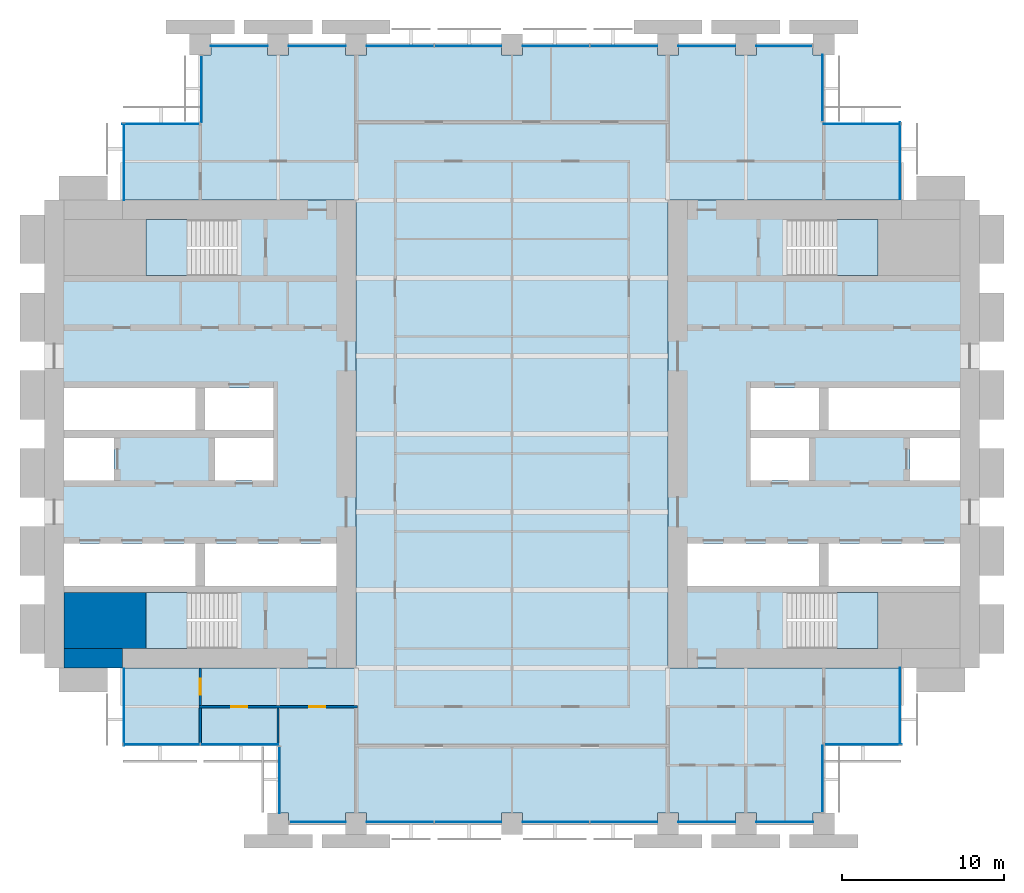
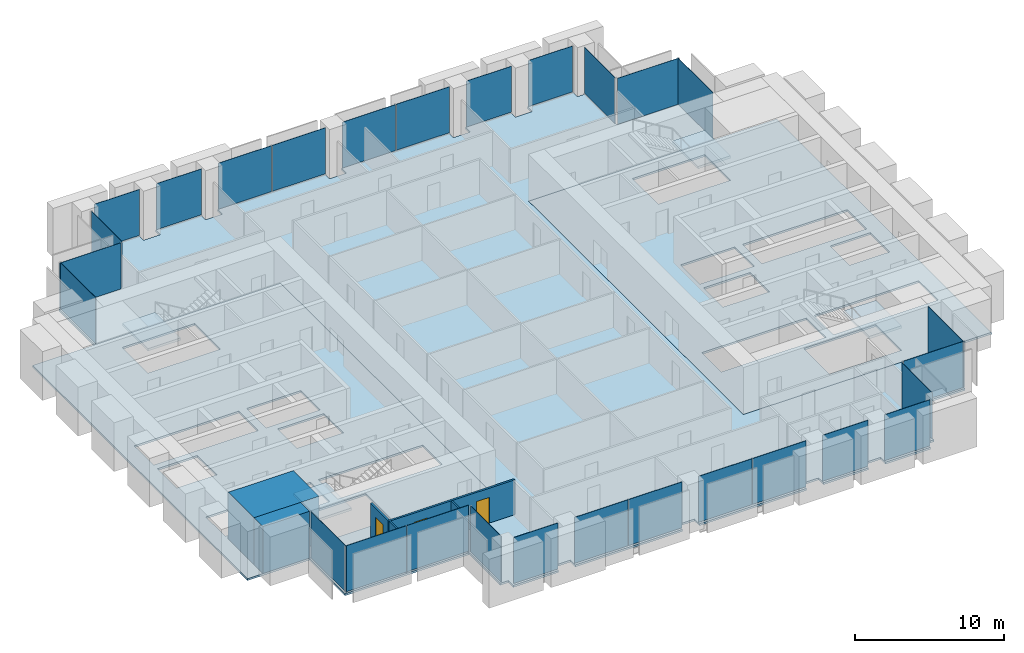
# One storey, part 8 of 14: 28 plates, 7 slabs, 6 walls, 3 doors, 3 openings, 18 elements without a shape of their own.
"""IFC4 building model written with IfcOpenShell, lengths in metres."""

from ifc_helpers import new_model, si_unit, direction, frame, frame_2d, origin, origin_2d, place, context, subcontext, project, spatial, polyline, rectangle, outline, extrude, material, layer, layer_set, type_object, element, fill, aggregate, save


model = new_model("IFC4")

# Units and contexts
model_context = context("Model", 3, precision=1e-05, world=origin(), true_north=direction((0.0, 1.0)))
body_context = subcontext(model_context, "Body", "Model", "MODEL_VIEW")
ifc_project = project(units=[si_unit("LENGTHUNIT", "METRE"), si_unit("AREAUNIT", "SQUARE_METRE"), si_unit("VOLUMEUNIT", "CUBIC_METRE"), si_unit("PLANEANGLEUNIT", "RADIAN"), si_unit("MASSUNIT", "GRAM", prefix="KILO")], contexts=[model_context])

# Site, building, storey
site_placement = place(None, origin())
site = spatial("IfcSite", under=ifc_project, at=site_placement, CompositionType="ELEMENT")
building_placement = place(site_placement, origin())
building = spatial("IfcBuilding", under=site, at=building_placement, Name="Baori Bourse Tower", CompositionType="ELEMENT")
storey_placement = place(building_placement, frame((0.0, 0.0, 55.0)))
storey = spatial("IfcBuildingStorey", under=building, at=storey_placement, Name="L11", CompositionType="ELEMENT", Elevation=55.0)

# Curtain wall, plates
ifc_material_1 = material(Name="Pale anodised aluminium", Category="aluminium")
curtain_wall_type_1 = type_object("IfcCurtainWallType", Name="CW1 Curtain wall", PredefinedType="NOTDEFINED", material=ifc_material_1)
curtain_wall_1_placement = place(storey_placement, origin())
curtain_wall_1 = element("IfcCurtainWall", 1, at=curtain_wall_1_placement, inside=storey, type_object=curtain_wall_type_1, Name="Curtain wall CW1 L11 4", PredefinedType="NOTDEFINED")
ifc_material_2 = material(Name="Clear glass", Category="glass")
ifc_layer_1 = layer(ifc_material_2, 0.033935546875)
ifc_layer_set_1 = layer_set([ifc_layer_1], Name="CW1 Curtain wall panel")
plate_type_1 = type_object("IfcPlateType", Name="CW1 Curtain wall panel", PredefinedType="CURTAIN_PANEL", material=ifc_layer_set_1)
plate_1_placement = place(storey_placement, frame((45.570068359375, 47.89990234375, 0.080078125), z_axis=(0.0, 0.0, 1.0), x_axis=(-1.0, 0.0, 0.0)))
plate_1 = element("IfcPlate", 2, at=plate_1_placement, type_object=plate_type_1, Name="Curtain wall CW1 panel", PredefinedType="CURTAIN_PANEL", context=body_context, shape_type="SweptSolid", body=[
    extrude(rectangle(XDim=3.43994140625, YDim=0.033935546875, at=origin_2d()), origin(), (0.0, 0.0, 1.0), 3.760009765625),
])
plate_2_placement = place(storey_placement, frame((40.800048828125, 47.89990234375, 0.080078125), z_axis=(0.0, 0.0, 1.0), x_axis=(-1.0, 0.0, 0.0)))
plate_2 = element("IfcPlate", 3, at=plate_2_placement, type_object=plate_type_1, Name="Curtain wall CW1 panel", PredefinedType="CURTAIN_PANEL", context=body_context, shape_type="SweptSolid", body=[
    extrude(rectangle(XDim=3.5, YDim=0.033935546875, at=origin_2d()), origin(), (0.0, 0.0, 1.0), 3.760009765625),
])
plate_3_placement = place(storey_placement, frame((35.68994140625, 47.89990234375, 0.080078125), z_axis=(0.0, 0.0, 1.0), x_axis=(-1.0, 0.0, 0.0)))
plate_3 = element("IfcPlate", 4, at=plate_3_placement, type_object=plate_type_1, Name="Curtain wall CW1 panel", PredefinedType="CURTAIN_PANEL", context=body_context, shape_type="SweptSolid", body=[
    extrude(rectangle(XDim=4.1201171875, YDim=0.033935546875, at=origin_2d()), origin(), (0.0, 0.0, 1.0), 3.760009765625),
])
plate_4_placement = place(storey_placement, frame((31.510009765625, 47.89990234375, 0.080078125), z_axis=(0.0, 0.0, 1.0), x_axis=(-1.0, 0.0, 0.0)))
plate_4 = element("IfcPlate", 5, at=plate_4_placement, type_object=plate_type_1, Name="Curtain wall CW1 panel", PredefinedType="CURTAIN_PANEL", context=body_context, shape_type="SweptSolid", body=[
    extrude(rectangle(XDim=4.1201171875, YDim=0.033935546875, at=origin_2d()), origin(), (0.0, 0.0, 1.0), 3.760009765625),
])
plate_5_placement = place(storey_placement, frame((26.090087890625, 47.89990234375, 0.080078125), z_axis=(0.0, 0.0, 1.0), x_axis=(-1.0, 0.0, 0.0)))
plate_5 = element("IfcPlate", 6, at=plate_5_placement, type_object=plate_type_1, Name="Curtain wall CW1 panel", PredefinedType="CURTAIN_PANEL", context=body_context, shape_type="SweptSolid", body=[
    extrude(rectangle(XDim=4.1201171875, YDim=0.033935546875, at=origin_2d()), origin(), (0.0, 0.0, 1.0), 3.760009765625),
])
plate_6_placement = place(storey_placement, frame((21.909912109375, 47.89990234375, 0.080078125), z_axis=(0.0, 0.0, 1.0), x_axis=(-1.0, 0.0, 0.0)))
plate_6 = element("IfcPlate", 7, at=plate_6_placement, type_object=plate_type_1, Name="Curtain wall CW1 panel", PredefinedType="CURTAIN_PANEL", context=body_context, shape_type="SweptSolid", body=[
    extrude(rectangle(XDim=4.1201171875, YDim=0.033935546875, at=origin_2d()), origin(), (0.0, 0.0, 1.0), 3.760009765625),
])
plate_7_placement = place(storey_placement, frame((16.800048828125, 47.89990234375, 0.080078125), z_axis=(0.0, 0.0, 1.0), x_axis=(-1.0, 0.0, 0.0)))
plate_7 = element("IfcPlate", 8, at=plate_7_placement, type_object=plate_type_1, Name="Curtain wall CW1 panel", PredefinedType="CURTAIN_PANEL", context=body_context, shape_type="SweptSolid", body=[
    extrude(rectangle(XDim=3.5, YDim=0.033935546875, at=origin_2d()), origin(), (0.0, 0.0, 1.0), 3.760009765625),
])
plate_8_placement = place(storey_placement, frame((12.0, 47.89990234375, 0.080078125), z_axis=(0.0, 0.0, 1.0), x_axis=(-1.0, 0.0, 0.0)))
plate_8 = element("IfcPlate", 9, at=plate_8_placement, type_object=plate_type_1, Name="Curtain wall CW1 panel", PredefinedType="CURTAIN_PANEL", context=body_context, shape_type="SweptSolid", body=[
    extrude(rectangle(XDim=3.5, YDim=0.033935546875, at=origin_2d()), origin(), (0.0, 0.0, 1.0), 3.760009765625),
])
aggregate(curtain_wall_1, [plate_1, plate_2, plate_3, plate_4, plate_5, plate_6, plate_7, plate_8])

curtain_wall_2_placement = place(storey_placement, origin())
curtain_wall_2 = element("IfcCurtainWall", 10, at=curtain_wall_2_placement, inside=storey, type_object=curtain_wall_type_1, Name="Curtain wall CW1 L11 11", PredefinedType="NOTDEFINED")
plate_9_placement = place(storey_placement, frame((16.830078125, 0.10009765625, 0.080078125), z_axis=(0.0, 0.0, 1.0), x_axis=(1.0, 0.0, 0.0)))
plate_9 = element("IfcPlate", 11, at=plate_9_placement, type_object=plate_type_1, Name="Curtain wall CW1 panel", PredefinedType="CURTAIN_PANEL", context=body_context, shape_type="SweptSolid", body=[
    extrude(rectangle(XDim=3.43994140625, YDim=0.033935546875, at=origin_2d()), origin(), (0.0, 0.0, 1.0), 3.760009765625),
])
plate_10_placement = place(storey_placement, frame((21.909912109375, 0.10009765625, 0.080078125), z_axis=(0.0, 0.0, 1.0), x_axis=(1.0, 0.0, 0.0)))
plate_10 = element("IfcPlate", 12, at=plate_10_placement, type_object=plate_type_1, Name="Curtain wall CW1 panel", PredefinedType="CURTAIN_PANEL", context=body_context, shape_type="SweptSolid", body=[
    extrude(rectangle(XDim=4.1201171875, YDim=0.033935546875, at=origin_2d()), origin(), (0.0, 0.0, 1.0), 3.760009765625),
])
plate_11_placement = place(storey_placement, frame((26.090087890625, 0.10009765625, 0.080078125), z_axis=(0.0, 0.0, 1.0), x_axis=(1.0, 0.0, 0.0)))
plate_11 = element("IfcPlate", 13, at=plate_11_placement, type_object=plate_type_1, Name="Curtain wall CW1 panel", PredefinedType="CURTAIN_PANEL", context=body_context, shape_type="SweptSolid", body=[
    extrude(rectangle(XDim=4.1201171875, YDim=0.033935546875, at=origin_2d()), origin(), (0.0, 0.0, 1.0), 3.760009765625),
])
plate_12_placement = place(storey_placement, frame((31.510009765625, 0.10009765625, 0.080078125), z_axis=(0.0, 0.0, 1.0), x_axis=(1.0, 0.0, 0.0)))
plate_12 = element("IfcPlate", 14, at=plate_12_placement, type_object=plate_type_1, Name="Curtain wall CW1 panel", PredefinedType="CURTAIN_PANEL", context=body_context, shape_type="SweptSolid", body=[
    extrude(rectangle(XDim=4.1201171875, YDim=0.033935546875, at=origin_2d()), origin(), (0.0, 0.0, 1.0), 3.760009765625),
])
plate_13_placement = place(storey_placement, frame((35.68994140625, 0.10009765625, 0.080078125), z_axis=(0.0, 0.0, 1.0), x_axis=(1.0, 0.0, 0.0)))
plate_13 = element("IfcPlate", 15, at=plate_13_placement, type_object=plate_type_1, Name="Curtain wall CW1 panel", PredefinedType="CURTAIN_PANEL", context=body_context, shape_type="SweptSolid", body=[
    extrude(rectangle(XDim=4.1201171875, YDim=0.033935546875, at=origin_2d()), origin(), (0.0, 0.0, 1.0), 3.760009765625),
])
plate_14_placement = place(storey_placement, frame((40.800048828125, 0.10009765625, 0.080078125), z_axis=(0.0, 0.0, 1.0), x_axis=(1.0, 0.0, 0.0)))
plate_14 = element("IfcPlate", 16, at=plate_14_placement, type_object=plate_type_1, Name="Curtain wall CW1 panel", PredefinedType="CURTAIN_PANEL", context=body_context, shape_type="SweptSolid", body=[
    extrude(rectangle(XDim=3.5, YDim=0.033935546875, at=origin_2d()), origin(), (0.0, 0.0, 1.0), 3.760009765625),
])
plate_15_placement = place(storey_placement, frame((45.60009765625, 0.10009765625, 0.080078125), z_axis=(0.0, 0.0, 1.0), x_axis=(1.0, 0.0, 0.0)))
plate_15 = element("IfcPlate", 17, at=plate_15_placement, type_object=plate_type_1, Name="Curtain wall CW1 panel", PredefinedType="CURTAIN_PANEL", context=body_context, shape_type="SweptSolid", body=[
    extrude(rectangle(XDim=3.5, YDim=0.033935546875, at=origin_2d()), origin(), (0.0, 0.0, 1.0), 3.760009765625),
])
aggregate(curtain_wall_2, [plate_9, plate_10, plate_11, plate_12, plate_13, plate_14, plate_15])

# Curtain wall, plate
ifc_material_3 = material(Name="Pale anodised aluminium", Category="aluminium")
curtain_wall_type_2 = type_object("IfcCurtainWallType", Name="CW2 Curtain wall", PredefinedType="NOTDEFINED", material=ifc_material_3)
curtain_wall_3_placement = place(storey_placement, origin())
curtain_wall_3 = element("IfcCurtainWall", 18, at=curtain_wall_3_placement, inside=storey, type_object=curtain_wall_type_2, Name="Curtain wall CW2 L11 1", PredefinedType="NOTDEFINED")
ifc_material_4 = material(Name="Clear glass", Category="glass")
ifc_layer_2 = layer(ifc_material_4, 0.030029296875)
ifc_layer_set_2 = layer_set([ifc_layer_2], Name="CW2 Curtain wall panel")
plate_type_2 = type_object("IfcPlateType", Name="CW2 Curtain wall panel", PredefinedType="CURTAIN_PANEL", material=ifc_layer_set_2)
plate_16_placement = place(storey_placement, frame((52.7099609375, 40.827392578125, 0.070068359375), z_axis=(0.0, 0.0, 1.0), x_axis=(0.0, 1.0, 0.0)))
plate_16 = element("IfcPlate", 19, at=plate_16_placement, type_object=plate_type_2, Name="Curtain wall CW2 panel", PredefinedType="CURTAIN_PANEL", context=body_context, shape_type="SweptSolid", body=[
    extrude(rectangle(XDim=4.7451171875, YDim=0.030029296875, at=origin_2d()), origin(), (0.0, 0.0, 1.0), 3.77001953125),
])
aggregate(curtain_wall_3, [plate_16])

curtain_wall_4_placement = place(storey_placement, origin())
curtain_wall_4 = element("IfcCurtainWall", 20, at=curtain_wall_4_placement, inside=storey, type_object=curtain_wall_type_2, Name="Curtain wall CW2 L11 2", PredefinedType="NOTDEFINED")
plate_17_placement = place(storey_placement, frame((50.37255859375, 43.110107421875, 0.070068359375), z_axis=(0.0, 0.0, 1.0), x_axis=(-1.0, 0.0, 0.0)))
plate_17 = element("IfcPlate", 21, at=plate_17_placement, type_object=plate_type_2, Name="Curtain wall CW2 panel", PredefinedType="CURTAIN_PANEL", context=body_context, shape_type="SweptSolid", body=[
    extrude(rectangle(XDim=4.7451171875, YDim=0.030029296875, at=origin_2d()), origin(), (0.0, 0.0, 1.0), 3.77001953125),
])
aggregate(curtain_wall_4, [plate_17])

curtain_wall_5_placement = place(storey_placement, origin())
curtain_wall_5 = element("IfcCurtainWall", 22, at=curtain_wall_5_placement, inside=storey, type_object=curtain_wall_type_2, Name="Curtain wall CW2 L11 3", PredefinedType="NOTDEFINED")
plate_18_placement = place(storey_placement, frame((47.909912109375, 45.302490234375, 0.070068359375), z_axis=(0.0, 0.0, 1.0), x_axis=(0.0, 1.0, 0.0)))
plate_18 = element("IfcPlate", 23, at=plate_18_placement, type_object=plate_type_2, Name="Curtain wall CW2 panel", PredefinedType="CURTAIN_PANEL", context=body_context, shape_type="SweptSolid", body=[
    extrude(rectangle(XDim=4.094970703125, YDim=0.030029296875, at=origin_2d()), origin(), (0.0, 0.0, 1.0), 3.77001953125),
])
aggregate(curtain_wall_5, [plate_18])

curtain_wall_6_placement = place(storey_placement, origin())
curtain_wall_6 = element("IfcCurtainWall", 24, at=curtain_wall_6_placement, inside=storey, type_object=curtain_wall_type_2, Name="Curtain wall CW2 L11 5", PredefinedType="NOTDEFINED")
plate_19_placement = place(storey_placement, frame((9.68994140625, 45.24755859375, 0.070068359375), z_axis=(0.0, 0.0, 1.0), x_axis=(0.0, -1.0, 0.0)))
plate_19 = element("IfcPlate", 25, at=plate_19_placement, type_object=plate_type_2, Name="Curtain wall CW2 panel", PredefinedType="CURTAIN_PANEL", context=body_context, shape_type="SweptSolid", body=[
    extrude(rectangle(XDim=4.094970703125, YDim=0.030029296875, at=origin_2d()), origin(), (0.0, 0.0, 1.0), 3.77001953125),
])
aggregate(curtain_wall_6, [plate_19])

curtain_wall_7_placement = place(storey_placement, origin())
curtain_wall_7 = element("IfcCurtainWall", 26, at=curtain_wall_7_placement, inside=storey, type_object=curtain_wall_type_2, Name="Curtain wall CW2 L11 6", PredefinedType="NOTDEFINED")
plate_20_placement = place(storey_placement, frame((7.172607421875, 43.110107421875, 0.070068359375), z_axis=(0.0, 0.0, 1.0), x_axis=(-1.0, 0.0, 0.0)))
plate_20 = element("IfcPlate", 27, at=plate_20_placement, type_object=plate_type_2, Name="Curtain wall CW2 panel", PredefinedType="CURTAIN_PANEL", context=body_context, shape_type="SweptSolid", body=[
    extrude(rectangle(XDim=4.7451171875, YDim=0.030029296875, at=origin_2d()), origin(), (0.0, 0.0, 1.0), 3.77001953125),
])
aggregate(curtain_wall_7, [plate_20])

curtain_wall_8_placement = place(storey_placement, origin())
curtain_wall_8 = element("IfcCurtainWall", 28, at=curtain_wall_8_placement, inside=storey, type_object=curtain_wall_type_2, Name="Curtain wall CW2 L11 7", PredefinedType="NOTDEFINED")
plate_21_placement = place(storey_placement, frame((4.889892578125, 40.7724609375, 0.070068359375), z_axis=(0.0, 0.0, 1.0), x_axis=(0.0, -1.0, 0.0)))
plate_21 = element("IfcPlate", 29, at=plate_21_placement, type_object=plate_type_2, Name="Curtain wall CW2 panel", PredefinedType="CURTAIN_PANEL", context=body_context, shape_type="SweptSolid", body=[
    extrude(rectangle(XDim=4.7451171875, YDim=0.030029296875, at=origin_2d()), origin(), (0.0, 0.0, 1.0), 3.77001953125),
])
aggregate(curtain_wall_8, [plate_21])

curtain_wall_9_placement = place(storey_placement, origin())
curtain_wall_9 = element("IfcCurtainWall", 30, at=curtain_wall_9_placement, inside=storey, type_object=curtain_wall_type_2, Name="Curtain wall CW2 L11 8", PredefinedType="NOTDEFINED")
plate_22_placement = place(storey_placement, frame((4.889892578125, 7.172607421875, 0.070068359375), z_axis=(0.0, 0.0, 1.0), x_axis=(0.0, -1.0, 0.0)))
plate_22 = element("IfcPlate", 31, at=plate_22_placement, type_object=plate_type_2, Name="Curtain wall CW2 panel", PredefinedType="CURTAIN_PANEL", context=body_context, shape_type="SweptSolid", body=[
    extrude(rectangle(XDim=4.7451171875, YDim=0.030029296875, at=origin_2d()), origin(), (0.0, 0.0, 1.0), 3.77001953125),
])
aggregate(curtain_wall_9, [plate_22])

# Curtain wall, plates
curtain_wall_10_placement = place(storey_placement, origin())
curtain_wall_10 = element("IfcCurtainWall", 32, at=curtain_wall_10_placement, inside=storey, type_object=curtain_wall_type_2, Name="Curtain wall CW2 L11 9", PredefinedType="NOTDEFINED")
plate_23_placement = place(storey_placement, frame((7.2138671875, 4.889892578125, 0.070068359375), z_axis=(0.0, 0.0, 1.0), x_axis=(1.0, 0.0, 0.0)))
plate_23 = element("IfcPlate", 33, at=plate_23_placement, type_object=plate_type_2, Name="Curtain wall CW2 panel", PredefinedType="CURTAIN_PANEL", context=body_context, shape_type="SweptSolid", body=[
    extrude(rectangle(XDim=4.717529296875, YDim=0.030029296875, at=origin_2d()), origin(), (0.0, 0.0, 1.0), 3.77001953125),
])
plate_24_placement = place(storey_placement, frame((12.013671875, 4.889892578125, 0.070068359375), z_axis=(0.0, 0.0, 1.0), x_axis=(1.0, 0.0, 0.0)))
plate_24 = element("IfcPlate", 34, at=plate_24_placement, type_object=plate_type_2, Name="Curtain wall CW2 panel", PredefinedType="CURTAIN_PANEL", context=body_context, shape_type="SweptSolid", body=[
    extrude(rectangle(XDim=4.7724609375, YDim=0.030029296875, at=origin_2d()), origin(), (0.0, 0.0, 1.0), 3.77001953125),
])
aggregate(curtain_wall_10, [plate_23, plate_24])

# Curtain wall, plate
curtain_wall_11_placement = place(storey_placement, origin())
curtain_wall_11 = element("IfcCurtainWall", 35, at=curtain_wall_11_placement, inside=storey, type_object=curtain_wall_type_2, Name="Curtain wall CW2 L11 10", PredefinedType="NOTDEFINED")
plate_25_placement = place(storey_placement, frame((14.489990234375, 2.697509765625, 0.070068359375), z_axis=(0.0, 0.0, 1.0), x_axis=(0.0, -1.0, 0.0)))
plate_25 = element("IfcPlate", 36, at=plate_25_placement, type_object=plate_type_2, Name="Curtain wall CW2 panel", PredefinedType="CURTAIN_PANEL", context=body_context, shape_type="SweptSolid", body=[
    extrude(rectangle(XDim=4.094970703125, YDim=0.030029296875, at=origin_2d()), origin(), (0.0, 0.0, 1.0), 3.77001953125),
])
aggregate(curtain_wall_11, [plate_25])

curtain_wall_12_placement = place(storey_placement, origin())
curtain_wall_12 = element("IfcCurtainWall", 37, at=curtain_wall_12_placement, inside=storey, type_object=curtain_wall_type_2, Name="Curtain wall CW2 L11 12", PredefinedType="NOTDEFINED")
plate_26_placement = place(storey_placement, frame((47.909912109375, 2.75244140625, 0.070068359375), z_axis=(0.0, 0.0, 1.0), x_axis=(0.0, 1.0, 0.0)))
plate_26 = element("IfcPlate", 38, at=plate_26_placement, type_object=plate_type_2, Name="Curtain wall CW2 panel", PredefinedType="CURTAIN_PANEL", context=body_context, shape_type="SweptSolid", body=[
    extrude(rectangle(XDim=4.094970703125, YDim=0.030029296875, at=origin_2d()), origin(), (0.0, 0.0, 1.0), 3.77001953125),
])
aggregate(curtain_wall_12, [plate_26])

curtain_wall_13_placement = place(storey_placement, origin())
curtain_wall_13 = element("IfcCurtainWall", 39, at=curtain_wall_13_placement, inside=storey, type_object=curtain_wall_type_2, Name="Curtain wall CW2 L11 13", PredefinedType="NOTDEFINED")
plate_27_placement = place(storey_placement, frame((50.427490234375, 4.889892578125, 0.070068359375), z_axis=(0.0, 0.0, 1.0), x_axis=(1.0, 0.0, 0.0)))
plate_27 = element("IfcPlate", 40, at=plate_27_placement, type_object=plate_type_2, Name="Curtain wall CW2 panel", PredefinedType="CURTAIN_PANEL", context=body_context, shape_type="SweptSolid", body=[
    extrude(rectangle(XDim=4.7451171875, YDim=0.030029296875, at=origin_2d()), origin(), (0.0, 0.0, 1.0), 3.77001953125),
])
aggregate(curtain_wall_13, [plate_27])

curtain_wall_14_placement = place(storey_placement, origin())
curtain_wall_14 = element("IfcCurtainWall", 41, at=curtain_wall_14_placement, inside=storey, type_object=curtain_wall_type_2, Name="Curtain wall CW2 L11 14", PredefinedType="NOTDEFINED")
plate_28_placement = place(storey_placement, frame((52.7099609375, 7.2275390625, 0.070068359375), z_axis=(0.0, 0.0, 1.0), x_axis=(0.0, 1.0, 0.0)))
plate_28 = element("IfcPlate", 42, at=plate_28_placement, type_object=plate_type_2, Name="Curtain wall CW2 panel", PredefinedType="CURTAIN_PANEL", context=body_context, shape_type="SweptSolid", body=[
    extrude(rectangle(XDim=4.7451171875, YDim=0.030029296875, at=origin_2d()), origin(), (0.0, 0.0, 1.0), 3.77001953125),
])
aggregate(curtain_wall_14, [plate_28])

# Slabs
ifc_material_5 = material(Name="Concrete f'c 50 MPa", Category="concrete")
ifc_layer_3 = layer(ifc_material_5, 0.159912109375)
ifc_layer_set_3 = layer_set([ifc_layer_3], Name="Core slab 160")
slab_type_1 = type_object("IfcSlabType", Name="Core slab 160", PredefinedType="FLOOR", material=ifc_layer_set_3)
slab_1_placement = place(storey_placement, frame((0.0, 0.0, -0.159912109375)))
element("IfcSlab", 43, at=slab_1_placement, inside=storey, type_object=slab_type_1, Name="Core floor slab W01", PredefinedType="FLOOR", context=body_context, shape_type="SweptSolid", body=[
    extrude(outline(polyline([(19.199951171875, 9.60009765625), (19.199951171875, 38.39990234375), (0.0, 38.39990234375), (0.0, 9.60009765625), (19.199951171875, 9.60009765625)]), holes=[polyline([(9.89990234375, 14.64990234375), (9.89990234375, 17.25), (18.0, 17.25), (18.0, 14.64990234375), (9.89990234375, 14.64990234375)]), polyline([(10.5, 21.14990234375), (10.5, 23.75), (14.10009765625, 23.75), (14.10009765625, 21.14990234375), (10.5, 21.14990234375)]), polyline([(14.10009765625, 24.25), (9.89990234375, 24.25), (9.89990234375, 26.85009765625), (14.10009765625, 26.85009765625), (14.10009765625, 24.25)]), polyline([(6.25, 14.25), (11.84912109375, 14.25), (11.84912109375, 10.800048828125), (6.25, 10.800048828125), (6.25, 14.25)]), polyline([(11.84912109375, 37.199951171875), (11.84912109375, 33.75), (6.25, 33.75), (6.25, 37.199951171875), (11.84912109375, 37.199951171875)]), polyline([(1.199951171875, 26.85009765625), (9.300048828125, 26.85009765625), (9.300048828125, 24.25), (1.199951171875, 24.25), (1.199951171875, 26.85009765625)]), polyline([(9.300048828125, 14.64990234375), (1.199951171875, 14.64990234375), (1.199951171875, 17.25), (9.300048828125, 17.25), (9.300048828125, 14.64990234375)]), polyline([(4.300048828125, 23.75), (4.300048828125, 21.14990234375), (1.199951171875, 21.14990234375), (1.199951171875, 23.75), (4.300048828125, 23.75)])]), origin(), (0.0, 0.0, 1.0), 0.159912109375),
])
slab_2_placement = place(storey_placement, frame((0.0, 0.0, -0.159912109375)))
element("IfcSlab", 44, at=slab_2_placement, inside=storey, type_object=slab_type_1, Name="Core floor slab E01", PredefinedType="FLOOR", context=body_context, shape_type="SweptSolid", body=[
    extrude(outline(polyline([(38.39990234375, 9.60009765625), (57.60009765625, 9.60009765625), (57.60009765625, 38.39990234375), (38.39990234375, 38.39990234375), (38.39990234375, 9.60009765625)]), holes=[polyline([(48.300048828125, 14.64990234375), (48.300048828125, 17.25), (56.39990234375, 17.25), (56.39990234375, 14.64990234375), (48.300048828125, 14.64990234375)]), polyline([(56.39990234375, 21.14990234375), (53.300048828125, 21.14990234375), (53.300048828125, 23.75), (56.39990234375, 23.75), (56.39990234375, 21.14990234375)]), polyline([(56.39990234375, 26.85009765625), (56.39990234375, 24.25), (48.300048828125, 24.25), (48.300048828125, 26.85009765625), (56.39990234375, 26.85009765625)]), polyline([(45.750732421875, 14.25), (51.35009765625, 14.25), (51.35009765625, 10.800048828125), (45.750732421875, 10.800048828125), (45.750732421875, 14.25)]), polyline([(51.35009765625, 37.199951171875), (51.35009765625, 33.75), (45.750732421875, 33.75), (45.750732421875, 37.199951171875), (51.35009765625, 37.199951171875)]), polyline([(39.60009765625, 17.25), (47.699951171875, 17.25), (47.699951171875, 14.64990234375), (39.60009765625, 14.64990234375), (39.60009765625, 17.25)]), polyline([(43.5, 24.25), (43.5, 26.85009765625), (47.699951171875, 26.85009765625), (47.699951171875, 24.25), (43.5, 24.25)]), polyline([(43.5, 23.75), (47.10009765625, 23.75), (47.10009765625, 21.14990234375), (43.5, 21.14990234375), (43.5, 23.75)])]), origin(), (0.0, 0.0, 1.0), 0.159912109375),
])

# Stair, slab
ifc_material_6 = material(Name="Concrete f'c 50 MPa", Category="concrete")
stair_type = type_object("IfcStairType", Name="Core stair", PredefinedType="HALF_TURN_STAIR", material=ifc_material_6)
stair_1_placement = place(storey_placement, origin())
stair_1 = element("IfcStair", 45, at=stair_1_placement, inside=storey, type_object=stair_type, Name="L11 Stair WA", PredefinedType="HALF_TURN_STAIR")
ifc_material_7 = material(Name="Concrete f'c 50 MPa", Category="concrete")
slab_type_2 = type_object("IfcSlabType", Name="Core stair landing", PredefinedType="LANDING", material=ifc_material_7)
slab_3_placement = place(storey_placement, frame((0.0, 0.0, 1.800048828125)))
slab_3 = element("IfcSlab", 46, at=slab_3_placement, type_object=slab_type_2, Name="ST1 landing 1", PredefinedType="LANDING", context=body_context, shape_type="SweptSolid", body=[
    extrude(outline(polyline([(8.77001953125, 14.25), (6.25, 14.25), (6.25, 10.800048828125), (8.77001953125, 10.800048828125), (8.77001953125, 14.25)])), origin(), (0.0, 0.0, 1.0), 0.199951171875),
])
aggregate(stair_1, [slab_3])

stair_2_placement = place(storey_placement, origin())
stair_2 = element("IfcStair", 47, at=stair_2_placement, inside=storey, type_object=stair_type, Name="L11 Stair WB", PredefinedType="HALF_TURN_STAIR")
slab_4_placement = place(storey_placement, frame((0.0, 0.0, 1.800048828125)))
slab_4 = element("IfcSlab", 48, at=slab_4_placement, type_object=slab_type_2, Name="ST2 landing 1", PredefinedType="LANDING", context=body_context, shape_type="SweptSolid", body=[
    extrude(outline(polyline([(8.77001953125, 37.199951171875), (6.25, 37.199951171875), (6.25, 33.75), (8.77001953125, 33.75), (8.77001953125, 37.199951171875)])), origin(), (0.0, 0.0, 1.0), 0.199951171875),
])
aggregate(stair_2, [slab_4])

stair_3_placement = place(storey_placement, origin())
stair_3 = element("IfcStair", 49, at=stair_3_placement, inside=storey, type_object=stair_type, Name="L11 Stair EA", PredefinedType="HALF_TURN_STAIR")
slab_5_placement = place(storey_placement, frame((0.0, 0.0, 1.800048828125)))
slab_5 = element("IfcSlab", 50, at=slab_5_placement, type_object=slab_type_2, Name="ST3 landing 1", PredefinedType="LANDING", context=body_context, shape_type="SweptSolid", body=[
    extrude(outline(polyline([(48.830078125, 10.800048828125), (51.35009765625, 10.800048828125), (51.35009765625, 14.25), (48.830078125, 14.25), (48.830078125, 10.800048828125)])), origin(), (0.0, 0.0, 1.0), 0.199951171875),
])
aggregate(stair_3, [slab_5])

stair_4_placement = place(storey_placement, origin())
stair_4 = element("IfcStair", 51, at=stair_4_placement, inside=storey, type_object=stair_type, Name="L11 Stair EB", PredefinedType="HALF_TURN_STAIR")
slab_6_placement = place(storey_placement, frame((0.0, 0.0, 1.800048828125)))
slab_6 = element("IfcSlab", 52, at=slab_6_placement, type_object=slab_type_2, Name="ST4 landing 1", PredefinedType="LANDING", context=body_context, shape_type="SweptSolid", body=[
    extrude(outline(polyline([(48.830078125, 33.75), (51.35009765625, 33.75), (51.35009765625, 37.199951171875), (48.830078125, 37.199951171875), (48.830078125, 33.75)])), origin(), (0.0, 0.0, 1.0), 0.199951171875),
])
aggregate(stair_4, [slab_6])

# Slab
ifc_material_8 = material(Name="Concrete f'c 40 MPa", Category="concrete")
ifc_layer_4 = layer(ifc_material_8, 0.159912109375)
ifc_layer_set_4 = layer_set([ifc_layer_4], Name="Floor slab 160")
slab_type_3 = type_object("IfcSlabType", Name="Floor slab 160", PredefinedType="FLOOR", material=ifc_layer_set_4)
slab_7_placement = place(storey_placement, frame((0.0, 0.0, -0.159912109375)))
element("IfcSlab", 53, at=slab_7_placement, inside=storey, type_object=slab_type_3, Name="Floor slab L11", PredefinedType="FLOOR", context=body_context, shape_type="SweptSolid", body=[
    extrude(outline(polyline([(14.39990234375, 4.800048828125), (4.800048828125, 4.800048828125), (4.800048828125, 9.60009765625), (19.199951171875, 9.60009765625), (19.199951171875, 38.39990234375), (4.800048828125, 38.39990234375), (4.800048828125, 43.199951171875), (9.60009765625, 43.199951171875), (9.60009765625, 47.35009765625), (10.25, 47.35009765625), (10.25, 48.0), (13.75, 48.0), (13.75, 47.35009765625), (15.050048828125, 47.35009765625), (15.050048828125, 48.0), (18.550048828125, 48.0), (18.550048828125, 47.35009765625), (19.85009765625, 47.35009765625), (19.85009765625, 48.0), (28.14990234375, 48.0), (28.14990234375, 47.35009765625), (29.449951171875, 47.35009765625), (29.449951171875, 48.0), (37.75, 48.0), (37.75, 47.35009765625), (39.050048828125, 47.35009765625), (39.050048828125, 48.0), (42.550048828125, 48.0), (42.550048828125, 47.35009765625), (43.85009765625, 47.35009765625), (43.85009765625, 48.0), (47.35009765625, 48.0), (47.35009765625, 47.35009765625), (48.0, 47.35009765625), (48.0, 43.199951171875), (52.800048828125, 43.199951171875), (52.800048828125, 38.39990234375), (38.39990234375, 38.39990234375), (38.39990234375, 9.60009765625), (52.800048828125, 9.60009765625), (52.800048828125, 4.800048828125), (48.0, 4.800048828125), (48.0, 0.64990234375), (47.35009765625, 0.64990234375), (47.35009765625, 0.0), (43.85009765625, 0.0), (43.85009765625, 0.64990234375), (42.550048828125, 0.64990234375), (42.550048828125, 0.0), (39.050048828125, 0.0), (39.050048828125, 0.64990234375), (37.75, 0.64990234375), (37.75, 0.0), (29.449951171875, 0.0), (29.449951171875, 0.64990234375), (28.14990234375, 0.64990234375), (28.14990234375, 0.0), (19.85009765625, 0.0), (19.85009765625, 0.64990234375), (18.550048828125, 0.64990234375), (18.550048828125, 0.0), (15.050048828125, 0.0), (15.050048828125, 0.64990234375), (14.39990234375, 0.64990234375), (14.39990234375, 4.800048828125)])), origin(), (0.0, 0.0, 1.0), 0.159912109375),
])

# Walls
ifc_material_9 = material(Name="Concrete f'c 70 MPa", Category="concrete")
wall_type_1 = type_object("IfcWallType", Name="Core corner block f'c 70", PredefinedType="SHEAR", material=ifc_material_9)
wall_1_placement = place(storey_placement, frame((1.199951171875, 12.52490234375, 0.0), z_axis=(0.0, 0.0, 1.0), x_axis=(1.0, 0.0, 0.0)))
element("IfcWall", 54, at=wall_1_placement, inside=storey, type_object=wall_type_1, Name="Core wall W05", PredefinedType="SHEAR", context=body_context, shape_type="SweptSolid", body=[
    extrude(rectangle(XDim=5.050048828125, YDim=3.449951171875, at=frame_2d((2.52490234375, 0.0))), origin(), (0.0, 0.0, 1.0), 3.840087890625),
])
ifc_material_10 = material(Name="Concrete f'c 70 MPa", Category="concrete")
ifc_layer_5 = layer(ifc_material_10, 1.199951171875)
ifc_layer_set_5 = layer_set([ifc_layer_5], Name="Core wall 1200 f'c 70")
wall_type_2 = type_object("IfcWallType", Name="Core wall 1200 f'c 70", PredefinedType="SHEAR", material=ifc_layer_set_5)
wall_2_placement = place(storey_placement, frame((4.800048828125, 10.199951171875, 0.0), z_axis=(0.0, 0.0, 1.0), x_axis=(-1.0, 0.0, 0.0)))
element("IfcWall", 55, at=wall_2_placement, inside=storey, type_object=wall_type_2, Name="Core wall W02", PredefinedType="SHEAR", context=body_context, shape_type="SweptSolid", body=[
    extrude(rectangle(XDim=3.60009765625, YDim=1.199951171875, at=frame_2d((1.800048828125, 0.0))), origin(), (0.0, 0.0, 1.0), 3.840087890625),
])

# Wall, openings, doors
ifc_material_11 = material(Name="Gypsum board partition")
ifc_layer_6 = layer(ifc_material_11, 0.14990234375)
ifc_layer_set_6 = layer_set([ifc_layer_6], Name="Corridor partition 150")
wall_type_3 = type_object("IfcWallType", Name="Corridor partition 150", PredefinedType="PARTITIONING", material=ifc_layer_set_6)
wall_3_placement = place(storey_placement, frame((9.52490234375, 7.199951171875, 0.0), z_axis=(0.0, 0.0, 1.0), x_axis=(1.0, 0.0, 0.0)))
wall_3 = element("IfcWall", 56, at=wall_3_placement, inside=storey, type_object=wall_type_3, Name="Partition", PredefinedType="PARTITIONING", context=body_context, shape_type="SweptSolid", body=[
    extrude(rectangle(XDim=9.75, YDim=0.14990234375, at=frame_2d((4.875, 0.0))), origin(), (0.0, 0.0, 1.0), 2.849365234375),
])
opening_1_placement = place(wall_3_placement, frame((1.97509765625, 0.0, 0.0)))
opening_1 = element("IfcOpeningElement", 57, at=opening_1_placement, cuts=wall_3, Name="Opening L11-D06", PredefinedType="OPENING", context=body_context, shape_type="SweptSolid", body=[
    extrude(rectangle(XDim=1.0, YDim=2.10009765625, at=frame_2d((0.5, 1.050048828125))), frame((0.0, 0.0849609375, 0.0), z_axis=(0.0, -1.0, 0.0), x_axis=(1.0, 0.0, 0.0)), (0.0, 0.0, 1.0), 0.169921875),
])
opening_2_placement = place(wall_3_placement, frame((6.77490234375, 0.0, 0.0)))
opening_2 = element("IfcOpeningElement", 58, at=opening_2_placement, cuts=wall_3, Name="Opening L11-D07", PredefinedType="OPENING", context=body_context, shape_type="SweptSolid", body=[
    extrude(rectangle(XDim=1.0, YDim=2.10009765625, at=frame_2d((0.5, 1.050048828125))), frame((0.0, 0.0849609375, 0.0), z_axis=(0.0, -1.0, 0.0), x_axis=(1.0, 0.0, 0.0)), (0.0, 0.0, 1.0), 0.169921875),
])
ifc_material_12 = material(Name="Timber door leaf", Category="wood")
door_type = type_object("IfcDoorType", Name="Door 1000 x 2100", OperationType="SINGLE_SWING_LEFT", PredefinedType="DOOR", material=ifc_material_12)
door_1_placement = place(opening_1_placement, origin())
door_1 = element("IfcDoor", 59, at=door_1_placement, inside=storey, type_object=door_type, Name="Door", OperationType="SINGLE_SWING_LEFT", OverallHeight=2.10009765625, OverallWidth=1.0, PredefinedType="DOOR", context=body_context, shape_type="SweptSolid", body=[
    extrude(rectangle(XDim=1.0, YDim=2.10009765625, at=frame_2d((0.5, 1.050048828125))), frame((0.0, 0.02490234375, 0.0), z_axis=(0.0, -1.0, 0.0), x_axis=(1.0, 0.0, 0.0)), (0.0, 0.0, 1.0), 0.050048828125),
])
fill(opening_1, door_1)
door_2_placement = place(opening_2_placement, origin())
door_2 = element("IfcDoor", 60, at=door_2_placement, inside=storey, type_object=door_type, Name="Door", OperationType="SINGLE_SWING_RIGHT", OverallHeight=2.10009765625, OverallWidth=1.0, PredefinedType="DOOR", context=body_context, shape_type="SweptSolid", body=[
    extrude(rectangle(XDim=1.0, YDim=2.10009765625, at=frame_2d((0.5, 1.050048828125))), frame((0.0, 0.02490234375, 0.0), z_axis=(0.0, -1.0, 0.0), x_axis=(1.0, 0.0, 0.0)), (0.0, 0.0, 1.0), 0.050048828125),
])
fill(opening_2, door_2)

# Wall, opening, door
wall_4_placement = place(storey_placement, frame((9.60009765625, 7.27490234375, 0.0), z_axis=(0.0, 0.0, 1.0), x_axis=(0.0, 1.0, 0.0)))
wall_4 = element("IfcWall", 61, at=wall_4_placement, inside=storey, type_object=wall_type_3, Name="Partition", PredefinedType="PARTITIONING", context=body_context, shape_type="SweptSolid", body=[
    extrude(rectangle(XDim=2.3251953125, YDim=0.14990234375, at=frame_2d((1.16259765625, 0.0))), origin(), (0.0, 0.0, 1.0), 2.849365234375),
])
opening_3_placement = place(wall_4_placement, frame((0.66259765625, 0.0, 0.0)))
opening_3 = element("IfcOpeningElement", 62, at=opening_3_placement, cuts=wall_4, Name="Opening L11-D19", PredefinedType="OPENING", context=body_context, shape_type="SweptSolid", body=[
    extrude(rectangle(XDim=1.0, YDim=2.10009765625, at=frame_2d((0.5, 1.050048828125))), frame((0.0, 0.0849609375, 0.0), z_axis=(0.0, -1.0, 0.0), x_axis=(1.0, 0.0, 0.0)), (0.0, 0.0, 1.0), 0.169921875),
])
door_3_placement = place(opening_3_placement, origin())
door_3 = element("IfcDoor", 63, at=door_3_placement, inside=storey, type_object=door_type, Name="Door", OperationType="SINGLE_SWING_RIGHT", OverallHeight=2.10009765625, OverallWidth=1.0, PredefinedType="DOOR", context=body_context, shape_type="SweptSolid", body=[
    extrude(rectangle(XDim=1.0, YDim=2.10009765625, at=frame_2d((0.5, 1.050048828125))), frame((0.0, 0.02490234375, 0.0), z_axis=(0.0, -1.0, 0.0), x_axis=(1.0, 0.0, 0.0)), (0.0, 0.0, 1.0), 0.050048828125),
])
fill(opening_3, door_3)

# Walls
ifc_material_13 = material(Name="Gypsum board partition")
ifc_layer_7 = layer(ifc_material_13, 0.125)
ifc_layer_set_7 = layer_set([ifc_layer_7], Name="Partition 125")
wall_type_4 = type_object("IfcWallType", Name="Partition 125", PredefinedType="PARTITIONING", material=ifc_layer_set_7)
for number, where, z_axis, x_axis, name in (
    (64, (9.60009765625, 4.89990234375, 0.0), (0.0, 0.0, 1.0), (0.0, 1.0, 0.0), "Partition"),
    (65, (14.39990234375, 4.89990234375, 0.0), (0.0, 0.0, 1.0), (0.0, 1.0, 0.0), "Partition"),
):
    element("IfcWall", number, at=place(storey_placement, frame(where, z_axis=z_axis, x_axis=x_axis)), inside=storey, type_object=wall_type_4, Name=name, PredefinedType="PARTITIONING", context=body_context, shape_type="SweptSolid", body=[
        extrude(rectangle(XDim=2.22509765625, YDim=0.125, at=frame_2d((1.112548828125, 0.0))), origin(), (0.0, 0.0, 1.0), 2.849365234375),
    ])

save(model, "model.ifc")
